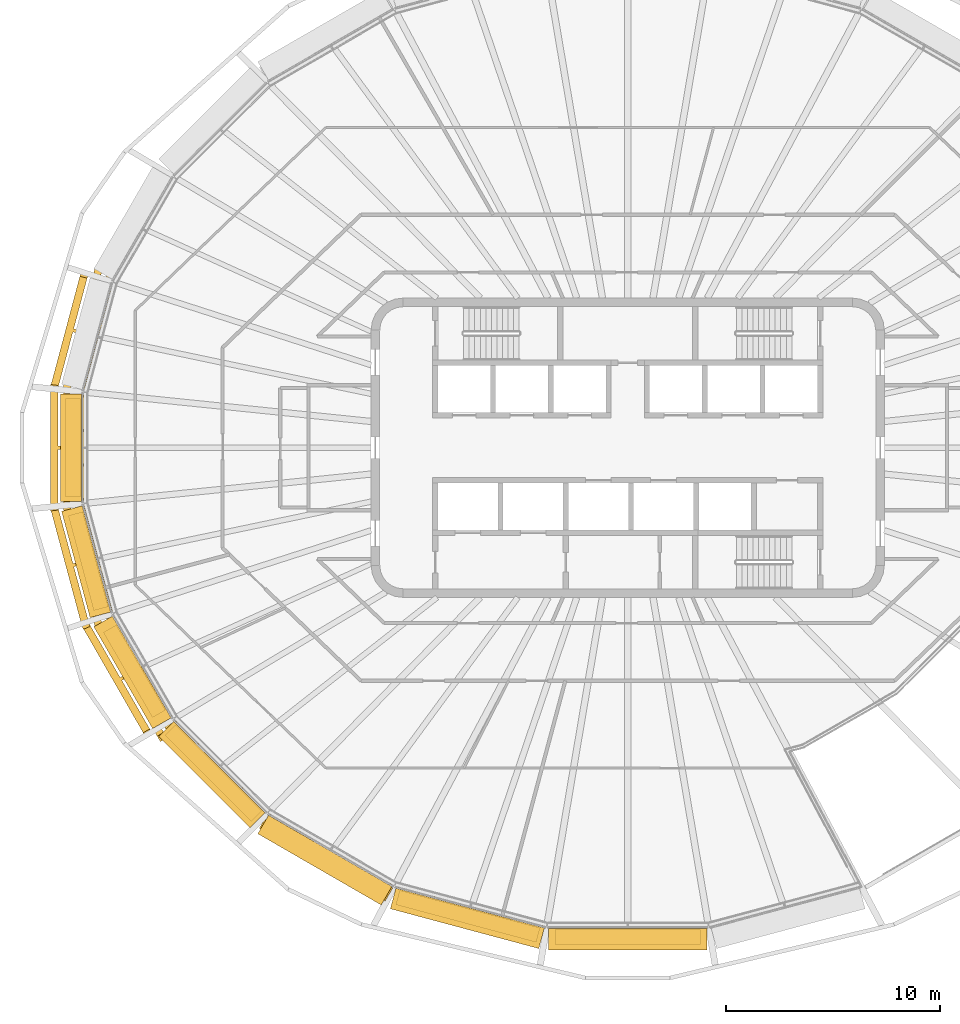
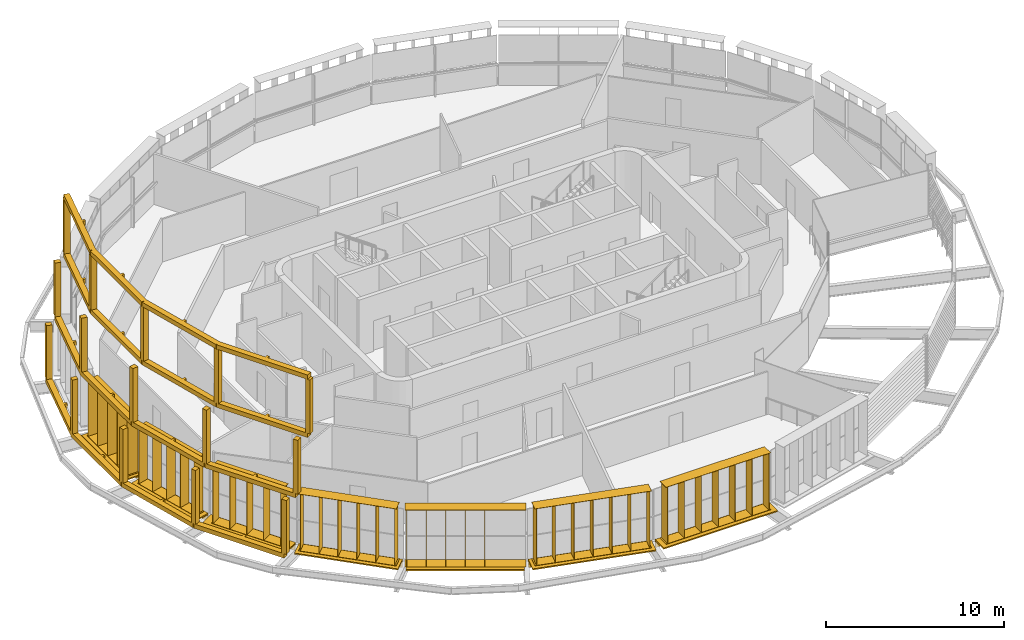
# One storey, part 14 of 18: 15 shading devices.
"""IFC4 building model written with IfcOpenShell, lengths in metres."""

import ifcopenshell
import ifcopenshell.guid

model = None  # the IFC model being written
_history = None  # IfcOwnerHistory: only IFC2X3 demands one
_inside = {}  # id of a spatial element -> (the spatial element, [elements in it])
_under = {}  # id of a project, library or spatial element -> (it, [spatial elements below it])
_declared = {}  # id of a project -> (the project, [libraries it declares])
_typed = {}  # id of a type object -> (the type object, [elements of that type])
_made_of = {}  # id of a material, layer set ... -> (it, [elements and type objects made of it])


def new_model(schema):
    """Start an empty IFC model of exactly this schema.

    Asked for "IFC4X3", IfcOpenShell would pick the latest addendum, in which some entities
    have other attributes; the version numbers below select the first issue.
    IFC2X3 requires an IfcOwnerHistory on every rooted entity: one is made here for all.
    """
    global model, _history
    if schema == "IFC4X3":
        model = ifcopenshell.file(schema_version=(4, 3, 0, 0))
    else:
        model = ifcopenshell.file(schema=schema)
    _inside.clear()
    _under.clear()
    _declared.clear()
    _typed.clear()
    _made_of.clear()
    _history = None
    if model.schema == "IFC2X3":
        org = make("IfcOrganization", Name="unknown")
        user = make(
            "IfcPersonAndOrganization",
            ThePerson=make("IfcPerson", FamilyName="unknown"),
            TheOrganization=org,
        )
        app = make(
            "IfcApplication",
            ApplicationDeveloper=org,
            Version="unknown",
            ApplicationFullName="unknown",
            ApplicationIdentifier="unknown",
        )
        _history = make(
            "IfcOwnerHistory",
            OwningUser=user,
            OwningApplication=app,
            ChangeAction="ADDED",
            CreationDate=0,
        )
    return model


def make(cls, **values):
    """One entity of the class cls with the attributes given. An attribute that is None is left unset."""
    return model.create_entity(
        cls, **{name: value for name, value in values.items() if value is not None}
    )


def rooted(cls, **values):
    """An entity with a GlobalId (a new one), such as an element, a storey or a relation."""
    return make(cls, GlobalId=ifcopenshell.guid.new(), OwnerHistory=_history, **values)


def si_unit(unit_type, name, prefix=None):
    """IfcSIUnit, for example si_unit("LENGTHUNIT", "METRE", prefix="MILLI")."""
    return make("IfcSIUnit", UnitType=unit_type, Prefix=prefix, Name=name)


def assignment(units):
    """IfcUnitAssignment: the units of a project."""
    return None if units is None else make("IfcUnitAssignment", Units=units)


def point(xyz):
    """IfcCartesianPoint."""
    return None if xyz is None else make("IfcCartesianPoint", Coordinates=xyz)


def direction(xyz):
    """IfcDirection."""
    return None if xyz is None else make("IfcDirection", DirectionRatios=xyz)


def frame(location, z_axis=None, x_axis=None):
    """IfcAxis2Placement3D, a coordinate frame: its origin and axes. An axis left out is left unset."""
    return make(
        "IfcAxis2Placement3D",
        Location=point(location),
        Axis=direction(z_axis),
        RefDirection=direction(x_axis),
    )


def frame_2d(location, x_axis=None):
    """IfcAxis2Placement2D, a coordinate frame in the plane: its origin and x axis."""
    return make(
        "IfcAxis2Placement2D", Location=point(location), RefDirection=direction(x_axis)
    )


def origin():
    """The frame at (0, 0, 0) with its axes left unset."""
    return frame((0.0, 0.0, 0.0))


def origin_2d():
    """The frame at (0, 0) in the plane with its x axis left unset."""
    return frame_2d((0.0, 0.0))


def place(relative_to, where):
    """IfcLocalPlacement: puts the frame where relative to a parent placement (None: the world)."""
    return make(
        "IfcLocalPlacement", PlacementRelTo=relative_to, RelativePlacement=where
    )


def context(
    kind, dimensions, precision=None, world=None, true_north=None, identifier=None
):
    """IfcGeometricRepresentationContext, for example the 3D "Model" context."""
    return make(
        "IfcGeometricRepresentationContext",
        ContextIdentifier=identifier,
        ContextType=kind,
        CoordinateSpaceDimension=dimensions,
        Precision=precision,
        WorldCoordinateSystem=world,
        TrueNorth=true_north,
    )


def subcontext(parent, identifier, kind, view, scale=None):
    """IfcGeometricRepresentationSubContext, for example "Body" below "Model"."""
    return make(
        "IfcGeometricRepresentationSubContext",
        ContextIdentifier=identifier,
        ContextType=kind,
        ParentContext=parent,
        TargetScale=scale,
        TargetView=view,
    )


def project(units=None, contexts=None):
    """IfcProject with its units and contexts."""
    return rooted(
        "IfcProject",
        Name="project",
        RepresentationContexts=contexts,
        UnitsInContext=assignment(units),
    )


def spatial(cls, under=None, at=None, **own):
    """A site, building, storey or space (cls), placed at a placement, below another one or the project."""
    s = rooted(cls, ObjectPlacement=at, **own)
    if under is not None:
        _under.setdefault(under.id(), (under, []))[1].append(s)
    return s


def polyline(points):
    """IfcPolyline through the points."""
    return make("IfcPolyline", Points=[point(p) for p in points])


def profile(cls, at=None, kind="AREA", **sizes):
    """A parametric profile (cls). Its sizes go by their IFC names, for example OverallWidth=200.0."""
    return make(cls, ProfileType=kind, Position=at, **sizes)


def rectangle(**sizes):
    """IfcRectangleProfileDef."""
    return profile("IfcRectangleProfileDef", **sizes)


def outline(outer, holes=None, kind="AREA"):
    """IfcArbitraryClosedProfileDef: a profile drawn as a closed curve; with holes, ...WithVoids."""
    if holes is None:
        return make("IfcArbitraryClosedProfileDef", ProfileType=kind, OuterCurve=outer)
    return make(
        "IfcArbitraryProfileDefWithVoids",
        ProfileType=kind,
        OuterCurve=outer,
        InnerCurves=holes,
    )


def extrude(swept, where, along, depth):
    """IfcExtrudedAreaSolid: the profile swept, set in the frame where, extruded along a direction by depth."""
    return make(
        "IfcExtrudedAreaSolid",
        SweptArea=swept,
        Position=where,
        ExtrudedDirection=direction(along),
        Depth=depth,
    )


def shape(context_of_items, identifier, shape_type, items):
    """IfcShapeRepresentation: the items that make up one representation, for example the "Body"."""
    return make(
        "IfcShapeRepresentation",
        ContextOfItems=context_of_items,
        RepresentationIdentifier=identifier,
        RepresentationType=shape_type,
        Items=items,
    )


def material(Name=None, Category=None):
    """IfcMaterial."""
    return make("IfcMaterial", Name=Name, Category=Category)


def made_of(thing, what):
    """Note that an element or type object is made of a material, layer set ...; save() writes the relation."""
    if what is not None:
        _made_of.setdefault(what.id(), (what, []))[1].append(thing)
    return thing


def type_object(cls, material=None, **own):
    """A type object (cls), such as IfcWallType, which elements share."""
    return made_of(rooted(cls, **own), material)


def element(
    cls,
    number,
    at=None,
    inside=None,
    cuts=None,
    type_object=None,
    material=None,
    context=None,
    identifier="Body",
    shape_type=None,
    held_by="IfcProductDefinitionShape",
    body=None,
    shapes=None,
    **own,
):
    """One element of the class cls, such as IfcWall. Its Tag is "e" and its number.

    at: its placement. inside: the storey or other place that contains it. cuts: it is an
    opening in that element (IfcRelVoidsElement). A single representation is given by context,
    identifier, shape_type and body (its items); several are given by shapes. held_by: the class
    of the entity that holds the representations. save() writes the other relations.
    """
    e = rooted(cls, Tag="e%d" % number, ObjectPlacement=at, **own)
    if body is not None:
        shapes = [shape(context, identifier, shape_type, body)]
    if shapes is not None:
        e.Representation = make(held_by, Representations=shapes)
    if inside is not None:
        _inside.setdefault(inside.id(), (inside, []))[1].append(e)
    if cuts is not None:
        rooted(
            "IfcRelVoidsElement", RelatingBuildingElement=cuts, RelatedOpeningElement=e
        )
    if type_object is not None:
        _typed.setdefault(type_object.id(), (type_object, []))[1].append(e)
    return made_of(e, material)


def aggregate(whole, parts):
    """IfcRelAggregates: a whole, such as a stair, and the parts it consists of."""
    return rooted("IfcRelAggregates", RelatingObject=whole, RelatedObjects=parts)


def save(model, path):
    """Write the relations noted so far, then the file.

    IfcRelAggregates (storeys below a building ...), IfcRelContainedInSpatialStructure (elements
    in a storey), IfcRelDefinesByType, IfcRelAssociatesMaterial and IfcRelDeclares: one each for
    every whole, place, type object, material and project.
    """
    for whole, parts in _under.values():
        aggregate(whole, parts)
    for where, things in _inside.values():
        rooted(
            "IfcRelContainedInSpatialStructure",
            RelatedElements=things,
            RelatingStructure=where,
        )
    for kind, things in _typed.values():
        rooted("IfcRelDefinesByType", RelatedObjects=things, RelatingType=kind)
    for what, things in _made_of.values():
        rooted("IfcRelAssociatesMaterial", RelatedObjects=things, RelatingMaterial=what)
    for by, libraries in _declared.values():
        rooted("IfcRelDeclares", RelatingContext=by, RelatedDefinitions=libraries)
    model.write(path)


model = new_model("IFC4")

# Units and contexts
model_context = context("Model", 3, precision=1e-05, world=origin(), true_north=direction((0.0, 1.0)))
body_context = subcontext(model_context, "Body", "Model", "MODEL_VIEW")
ifc_project = project(units=[si_unit("LENGTHUNIT", "METRE"), si_unit("AREAUNIT", "SQUARE_METRE"), si_unit("VOLUMEUNIT", "CUBIC_METRE"), si_unit("PLANEANGLEUNIT", "RADIAN"), si_unit("MASSUNIT", "GRAM", prefix="KILO")], contexts=[model_context])

# Site, building, storey
site_placement = place(None, origin())
site = spatial("IfcSite", under=ifc_project, at=site_placement, CompositionType="ELEMENT")
building_placement = place(site_placement, origin())
building = spatial("IfcBuilding", under=site, at=building_placement, Name="Sahrelin Media Tower", CompositionType="ELEMENT")
storey_placement = place(building_placement, frame((0.0, 0.0, 312.39990234375)))
storey = spatial("IfcBuildingStorey", under=building, at=storey_placement, Name="L69", CompositionType="ELEMENT", Elevation=312.39990234375)

# Shading devices
ifc_material_1 = material(Name="Dark bronze anodised aluminium 6063-T6", Category="aluminium")
shading_device_type_1 = type_object("IfcShadingDeviceType", Name="Deep frame", PredefinedType="USERDEFINED", material=ifc_material_1)
shading_device_1_placement = place(storey_placement, frame((-24.133056640625, 7.777099609375, 0.0), z_axis=(0.0, 0.0, 1.0), x_axis=(0.258807731996, 0.965928857556, 0.0)))
element("IfcShadingDevice", 1, at=shading_device_1_placement, inside=storey, type_object=shading_device_type_1, Name="L69:FRAME:F6-2", ObjectType="FRAME", PredefinedType="USERDEFINED", context=body_context, shape_type="SweptSolid", body=[
    extrude(rectangle(XDim=0.300048828125, YDim=0.35009765625, at=origin_2d()), frame((0.0, 1.324951171875, 0.14990234375), z_axis=(0.0, 0.0, 1.0), x_axis=(-1.0, 0.0, 0.0)), (0.0, 0.0, 1.0), 3.7001953125),
    extrude(rectangle(XDim=0.300048828125, YDim=0.35009765625, at=origin_2d()), frame((-5.518798828125, 1.313720703125, 0.14990234375), z_axis=(0.0, 0.0, 1.0), x_axis=(-0.991434606813, -0.130604059715, 0.0)), (0.0, 0.0, 1.0), 3.7001953125),
    extrude(rectangle(XDim=0.300048828125, YDim=0.35009765625, at=origin_2d()), frame((-10.9013671875, -0.12841796875, 0.14990234375), z_axis=(0.0, 0.0, 1.0), x_axis=(-0.923876860854, -0.382689882252, 0.0)), (0.0, 0.0, 1.0), 3.7001953125),
    extrude(rectangle(XDim=0.300048828125, YDim=0.35009765625, at=origin_2d()), frame((-15.83056640625, -2.974365234375, 0.14990234375), z_axis=(0.0, 0.0, 1.0), x_axis=(-0.793400087474, -0.608700502051, 0.0)), (0.0, 0.0, 1.0), 3.7001953125),
    extrude(rectangle(XDim=0.300048828125, YDim=0.35009765625, at=origin_2d()), frame((-19.98828125, -7.115966796875, 0.14990234375), z_axis=(0.0, 0.0, 1.0), x_axis=(-0.707106781187, -0.707106781187, 0.0)), (0.0, 0.0, 1.0), 3.7001953125),
    extrude(outline(polyline([(-20.11181640625, -6.991943359375), (-19.86474609375, -7.239990234375), (-17.900146484375, -5.282958984375), (-17.776611328125, -5.406494140625), (-17.670654296875, -5.30029296875), (-17.7939453125, -5.177001953125), (-15.723388671875, -3.114501953125), (-13.343505859375, -1.740478515625), (-13.259033203125, -1.88671875), (-13.129150390625, -1.8115234375), (-13.21337890625, -1.66552734375), (-10.833740234375, -0.29150390625), (-8.2373046875, 0.404052734375), (-8.193603515625, 0.2412109375), (-8.048583984375, 0.280029296875), (-8.09228515625, 0.44287109375), (-5.49560546875, 1.138671875), (-2.748046875, 1.144287109375), (-2.748046875, 0.969970703125), (-2.597900390625, 0.969970703125), (-2.597900390625, 1.144775390625), (0.00048828125, 1.14990234375), (-0.00048828125, 1.5), (-5.519287109375, 1.48876953125), (-5.518798828125, 1.313720703125), (-5.564208984375, 1.482666015625), (-10.946533203125, 0.04052734375), (-10.9013671875, -0.12841796875), (-10.98876953125, 0.02294921875), (-15.918212890625, -2.82275390625), (-15.83056640625, -2.974365234375), (-15.9541015625, -2.850341796875), (-20.11181640625, -6.991943359375)])), frame((0.0, 0.0, -0.14990234375)), (0.0, 0.0, 1.0), 0.2998046875),
    extrude(rectangle(XDim=0.300048828125, YDim=0.35009765625, at=origin_2d()), frame((0.29248046875, 0.740478515625, 4.14990234375), z_axis=(0.0, 0.0, 1.0), x_axis=(-1.0, 0.0, 0.0)), (0.0, 0.0, 1.0), 3.7001953125),
    extrude(rectangle(XDim=0.300048828125, YDim=0.35009765625, at=origin_2d()), frame((-5.31005859375, 0.729248046875, 4.14990234375), z_axis=(0.0, 0.0, 1.0), x_axis=(-0.991449189241, -0.130493314592, 0.0)), (0.0, 0.0, 1.0), 3.7001953125),
    extrude(rectangle(XDim=0.300048828125, YDim=0.35009765625, at=origin_2d()), frame((-10.7900390625, -0.739013671875, 4.14990234375), z_axis=(0.0, 0.0, 1.0), x_axis=(-0.923876860854, -0.382689882252, 0.0)), (0.0, 0.0, 1.0), 3.7001953125),
    extrude(rectangle(XDim=0.300048828125, YDim=0.35009765625, at=origin_2d()), frame((-15.791748046875, -3.626708984375, 4.14990234375), z_axis=(0.0, 0.0, 1.0), x_axis=(-0.793315089117, -0.608811275668, 0.0)), (0.0, 0.0, 1.0), 3.7001953125),
    extrude(rectangle(XDim=0.300048828125, YDim=0.35009765625, at=origin_2d()), frame((-19.970703125, -7.78955078125, 4.14990234375), z_axis=(0.0, 0.0, 1.0), x_axis=(-0.707106781187, -0.707106781187, 0.0)), (0.0, 0.0, 1.0), 3.7001953125),
    extrude(outline(polyline([(-20.09423828125, -7.66552734375), (-19.84716796875, -7.91357421875), (-17.871826171875, -5.94580078125), (-17.748291015625, -6.0693359375), (-17.642333984375, -5.96337890625), (-17.765625, -5.840087890625), (-15.6845703125, -3.766845703125), (-13.268310546875, -2.371826171875), (-13.18408203125, -2.51806640625), (-13.05419921875, -2.443115234375), (-13.138427734375, -2.296875), (-10.722412109375, -0.902099609375), (-8.0771484375, -0.193359375), (-8.033447265625, -0.356201171875), (-7.888671875, -0.3173828125), (-7.932373046875, -0.154541015625), (-5.286865234375, 0.554443359375), (-2.497314453125, 0.56005859375), (-2.497314453125, 0.385498046875), (-2.347412109375, 0.385498046875), (-2.347412109375, 0.560302734375), (0.29296875, 0.565673828125), (0.292236328125, 0.91552734375), (-5.310302734375, 0.904296875), (-5.31005859375, 0.729248046875), (-5.355224609375, 0.898193359375), (-10.835205078125, -0.570068359375), (-10.7900390625, -0.739013671875), (-10.87744140625, -0.58740234375), (-15.87939453125, -3.47509765625), (-15.791748046875, -3.626708984375), (-15.915283203125, -3.502685546875), (-20.09423828125, -7.66552734375)])), frame((0.0, 0.0, 3.85009765625)), (0.0, 0.0, 1.0), 0.2998046875),
    extrude(rectangle(XDim=0.300048828125, YDim=0.35009765625, at=origin_2d()), frame((0.608642578125, 0.1220703125, 8.14990234375), z_axis=(0.0, 0.0, 1.0), x_axis=(-1.0, 0.0, 0.0)), (0.0, 0.0, 1.0), 3.7001953125),
    extrude(rectangle(XDim=0.300048828125, YDim=0.35009765625, at=origin_2d()), frame((-5.086181640625, 0.110595703125, 8.14990234375), z_axis=(0.0, 0.0, 1.0), x_axis=(-0.991447594891, -0.130505427419, 0.0)), (0.0, 0.0, 1.0), 3.7001953125),
    extrude(rectangle(XDim=0.300048828125, YDim=0.35009765625, at=origin_2d()), frame((-10.6748046875, -1.38671875, 8.14990234375), z_axis=(0.0, 0.0, 1.0), x_axis=(-0.923862165937, -0.382725356294, 0.0)), (0.0, 0.0, 1.0), 3.7001953125),
    extrude(rectangle(XDim=0.300048828125, YDim=0.35009765625, at=origin_2d()), frame((-15.756103515625, -4.320556640625, 8.14990234375), z_axis=(0.0, 0.0, 1.0), x_axis=(-0.793400087474, -0.608700502051, 0.0)), (0.0, 0.0, 1.0), 3.7001953125),
    extrude(rectangle(XDim=0.300048828125, YDim=0.35009765625, at=origin_2d()), frame((-19.95654296875, -8.504638671875, 8.14990234375), z_axis=(0.0, 0.0, 1.0), x_axis=(-0.707106781187, -0.707106781187, 0.0)), (0.0, 0.0, 1.0), 3.7001953125),
    extrude(outline(polyline([(-20.080078125, -8.380615234375), (-19.8330078125, -8.628662109375), (-17.846923828125, -6.650390625), (-17.723388671875, -6.773681640625), (-17.617431640625, -6.667724609375), (-17.74072265625, -6.54443359375), (-15.64892578125, -4.460693359375), (-13.19287109375, -3.042724609375), (-13.108642578125, -3.188720703125), (-12.978515625, -3.11376953125), (-13.06298828125, -2.9677734375), (-10.607177734375, -1.5498046875), (-7.907470703125, -0.826416015625), (-7.864013671875, -0.989501953125), (-7.718994140625, -0.95068359375), (-7.7626953125, -0.78759765625), (-5.06298828125, -0.064208984375), (-2.227294921875, -0.05859375), (-2.227294921875, -0.23291015625), (-2.077392578125, -0.23291015625), (-2.077392578125, -0.058349609375), (0.60888671875, -0.052978515625), (0.608154296875, 0.297119140625), (-5.08642578125, 0.28564453125), (-5.086181640625, 0.110595703125), (-5.13134765625, 0.27978515625), (-10.719970703125, -1.2177734375), (-10.6748046875, -1.38671875), (-10.76220703125, -1.235107421875), (-15.84375, -4.1689453125), (-15.756103515625, -4.320556640625), (-15.879638671875, -4.196533203125), (-20.080078125, -8.380615234375)])), frame((0.0, 0.0, 7.85009765625)), (0.0, 0.0, 1.0), 0.2998046875),
    extrude(outline(polyline([(-20.080078125, -8.380615234375), (-19.8330078125, -8.628662109375), (-17.846923828125, -6.650390625), (-17.723388671875, -6.773681640625), (-17.617431640625, -6.667724609375), (-17.74072265625, -6.54443359375), (-15.64892578125, -4.460693359375), (-13.19287109375, -3.042724609375), (-13.108642578125, -3.188720703125), (-12.978515625, -3.11376953125), (-13.06298828125, -2.9677734375), (-10.607177734375, -1.5498046875), (-7.907470703125, -0.826416015625), (-7.864013671875, -0.989501953125), (-7.718994140625, -0.95068359375), (-7.7626953125, -0.78759765625), (-5.06298828125, -0.064208984375), (-2.227294921875, -0.05859375), (-2.227294921875, -0.23291015625), (-2.077392578125, -0.23291015625), (-2.077392578125, -0.058349609375), (0.60888671875, -0.052978515625), (0.608154296875, 0.297119140625), (-5.08642578125, 0.28564453125), (-5.086181640625, 0.110595703125), (-5.13134765625, 0.27978515625), (-10.719970703125, -1.2177734375), (-10.6748046875, -1.38671875), (-10.76220703125, -1.235107421875), (-15.84375, -4.1689453125), (-15.756103515625, -4.320556640625), (-15.879638671875, -4.196533203125), (-20.080078125, -8.380615234375)])), frame((0.0, 0.0, 11.85009765625)), (0.0, 0.0, 1.0), 0.2998046875),
])
ifc_material_2 = material(Name="Champagne anodised aluminium 6063-T6", Category="aluminium")
shading_device_type_2 = type_object("IfcShadingDeviceType", Name="Fin cassette", PredefinedType="USERDEFINED", material=ifc_material_2)
placement_1 = place(storey_placement, frame((-25.5166015625, 0.0, 0.0), z_axis=(0.0, 0.0, 1.0), x_axis=(0.0, 1.0, 0.0)))
element("IfcShadingDevice", 2, at=placement_1, inside=storey, type_object=shading_device_type_2, Name="L69:FIN:L69-12", ObjectType="FIN", PredefinedType="USERDEFINED", context=body_context, shape_type="SweptSolid", body=[
    extrude(rectangle(XDim=4.60009765625, YDim=0.699951171875, at=origin_2d()), frame((0.0, 0.419921875, 0.0)), (0.0, 0.0, 1.0), 0.02001953125),
    extrude(rectangle(XDim=4.60009765625, YDim=0.699951171875, at=origin_2d()), frame((0.0, 0.419921875, 3.89990234375)), (0.0, 0.0, 1.0), 0.02001953125),
    extrude(rectangle(XDim=0.02001953125, YDim=0.699951171875, at=origin_2d()), frame((-2.199951171875, 0.419921875, 0.010009765625), z_axis=(0.0, 0.0, 1.0), x_axis=(1.0, 0.0, 0.0)), (0.0, 0.0, 1.0), 3.89990234375),
    extrude(rectangle(XDim=0.02001953125, YDim=0.699951171875, at=origin_2d()), frame((-1.10009765625, 0.419921875, 0.010009765625), z_axis=(0.0, 0.0, 1.0), x_axis=(1.0, 0.0, 0.0)), (0.0, 0.0, 1.0), 3.89990234375),
    extrude(rectangle(XDim=0.02001953125, YDim=0.699951171875, at=origin_2d()), frame((0.0, 0.419921875, 0.010009765625), z_axis=(0.0, 0.0, 1.0), x_axis=(1.0, 0.0, 0.0)), (0.0, 0.0, 1.0), 3.89990234375),
    extrude(rectangle(XDim=0.02001953125, YDim=0.699951171875, at=origin_2d()), frame((1.10009765625, 0.419921875, 0.010009765625), z_axis=(0.0, 0.0, 1.0), x_axis=(1.0, 0.0, 0.0)), (0.0, 0.0, 1.0), 3.89990234375),
    extrude(rectangle(XDim=0.02001953125, YDim=0.699951171875, at=origin_2d()), frame((2.199951171875, 0.419921875, 0.010009765625), z_axis=(0.0, 0.0, 1.0), x_axis=(1.0, 0.0, 0.0)), (0.0, 0.0, 1.0), 3.89990234375),
])
placement_2 = place(storey_placement, frame((-24.824951171875, -5.195068359375, 0.0), z_axis=(0.0, 0.0, 1.0), x_axis=(-0.258807731996, 0.965928857556, 0.0)))
element("IfcShadingDevice", 3, at=placement_2, inside=storey, type_object=shading_device_type_2, Name="L69:FIN:L69-13", ObjectType="FIN", PredefinedType="USERDEFINED", context=body_context, shape_type="SweptSolid", body=[
    extrude(rectangle(XDim=4.60009765625, YDim=0.699951171875, at=origin_2d()), frame((0.0, 0.419921875, 0.0)), (0.0, 0.0, 1.0), 0.02001953125),
    extrude(rectangle(XDim=4.60009765625, YDim=0.699951171875, at=origin_2d()), frame((0.0, 0.419921875, 3.89990234375)), (0.0, 0.0, 1.0), 0.02001953125),
    extrude(rectangle(XDim=0.02001953125, YDim=0.699951171875, at=origin_2d()), frame((-2.199951171875, 0.419921875, 0.010009765625), z_axis=(0.0, 0.0, 1.0), x_axis=(1.0, 0.0, 0.0)), (0.0, 0.0, 1.0), 3.89990234375),
    extrude(rectangle(XDim=0.02001953125, YDim=0.699951171875, at=origin_2d()), frame((-1.10009765625, 0.419921875, 0.010009765625), z_axis=(0.0, 0.0, 1.0), x_axis=(1.0, 0.0, 0.0)), (0.0, 0.0, 1.0), 3.89990234375),
    extrude(rectangle(XDim=0.02001953125, YDim=0.699951171875, at=origin_2d()), frame((0.0, 0.419921875, 0.010009765625), z_axis=(0.0, 0.0, 1.0), x_axis=(1.0, 0.0, 0.0)), (0.0, 0.0, 1.0), 3.89990234375),
    extrude(rectangle(XDim=0.02001953125, YDim=0.699951171875, at=origin_2d()), frame((1.10009765625, 0.419921875, 0.010009765625), z_axis=(0.0, 0.0, 1.0), x_axis=(1.0, 0.0, 0.0)), (0.0, 0.0, 1.0), 3.89990234375),
    extrude(rectangle(XDim=0.02001953125, YDim=0.699951171875, at=origin_2d()), frame((2.199951171875, 0.419921875, 0.010009765625), z_axis=(0.0, 0.0, 1.0), x_axis=(1.0, 0.0, 0.0)), (0.0, 0.0, 1.0), 3.89990234375),
])
placement_3 = place(storey_placement, frame((-22.709228515625, -10.2431640625, 0.0), z_axis=(0.0, 0.0, 1.0), x_axis=(-0.500011000363, 0.866019052629, 0.0)))
element("IfcShadingDevice", 4, at=placement_3, inside=storey, type_object=shading_device_type_2, Name="L69:FIN:L69-14", ObjectType="FIN", PredefinedType="USERDEFINED", context=body_context, shape_type="SweptSolid", body=[
    extrude(rectangle(XDim=4.60009765625, YDim=0.699951171875, at=origin_2d()), frame((0.0, 0.419921875, 0.0)), (0.0, 0.0, 1.0), 0.02001953125),
    extrude(rectangle(XDim=4.60009765625, YDim=0.699951171875, at=origin_2d()), frame((0.0, 0.419921875, 3.89990234375)), (0.0, 0.0, 1.0), 0.02001953125),
    extrude(rectangle(XDim=0.02001953125, YDim=0.699951171875, at=origin_2d()), frame((-2.199951171875, 0.419921875, 0.010009765625), z_axis=(0.0, 0.0, 1.0), x_axis=(1.0, 0.0, 0.0)), (0.0, 0.0, 1.0), 3.89990234375),
    extrude(rectangle(XDim=0.02001953125, YDim=0.699951171875, at=origin_2d()), frame((-1.10009765625, 0.419921875, 0.010009765625), z_axis=(0.0, 0.0, 1.0), x_axis=(1.0, 0.0, 0.0)), (0.0, 0.0, 1.0), 3.89990234375),
    extrude(rectangle(XDim=0.02001953125, YDim=0.699951171875, at=origin_2d()), frame((0.0, 0.419921875, 0.010009765625), z_axis=(0.0, 0.0, 1.0), x_axis=(1.0, 0.0, 0.0)), (0.0, 0.0, 1.0), 3.89990234375),
    extrude(rectangle(XDim=0.02001953125, YDim=0.699951171875, at=origin_2d()), frame((1.10009765625, 0.419921875, 0.010009765625), z_axis=(0.0, 0.0, 1.0), x_axis=(1.0, 0.0, 0.0)), (0.0, 0.0, 1.0), 3.89990234375),
    extrude(rectangle(XDim=0.02001953125, YDim=0.699951171875, at=origin_2d()), frame((2.199951171875, 0.419921875, 0.010009765625), z_axis=(0.0, 0.0, 1.0), x_axis=(1.0, 0.0, 0.0)), (0.0, 0.0, 1.0), 3.89990234375),
])
placement_4 = place(storey_placement, frame((-19.08056640625, -14.914306640625, 0.0), z_axis=(0.0, 0.0, 1.0), x_axis=(-0.707106781187, 0.707106781187, 0.0)))
element("IfcShadingDevice", 5, at=placement_4, inside=storey, type_object=shading_device_type_2, Name="L69:FIN:L69-15", ObjectType="FIN", PredefinedType="USERDEFINED", context=body_context, shape_type="SweptSolid", body=[
    extrude(rectangle(XDim=5.699951171875, YDim=0.699951171875, at=origin_2d()), frame((0.0, 0.419921875, 0.0)), (0.0, 0.0, 1.0), 0.02001953125),
    extrude(rectangle(XDim=5.699951171875, YDim=0.699951171875, at=origin_2d()), frame((0.0, 0.419921875, 3.89990234375)), (0.0, 0.0, 1.0), 0.02001953125),
    extrude(rectangle(XDim=0.02001953125, YDim=0.699951171875, at=origin_2d()), frame((-2.75, 0.419921875, 0.010009765625), z_axis=(0.0, 0.0, 1.0), x_axis=(1.0, 0.0, 0.0)), (0.0, 0.0, 1.0), 3.89990234375),
    extrude(rectangle(XDim=0.02001953125, YDim=0.699951171875, at=origin_2d()), frame((-1.64990234375, 0.419921875, 0.010009765625), z_axis=(0.0, 0.0, 1.0), x_axis=(1.0, 0.0, 0.0)), (0.0, 0.0, 1.0), 3.89990234375),
    extrude(rectangle(XDim=0.02001953125, YDim=0.699951171875, at=origin_2d()), frame((-0.550048828125, 0.419921875, 0.010009765625), z_axis=(0.0, 0.0, 1.0), x_axis=(1.0, 0.0, 0.0)), (0.0, 0.0, 1.0), 3.89990234375),
    extrude(rectangle(XDim=0.02001953125, YDim=0.699951171875, at=origin_2d()), frame((0.550048828125, 0.419921875, 0.010009765625), z_axis=(0.0, 0.0, 1.0), x_axis=(1.0, 0.0, 0.0)), (0.0, 0.0, 1.0), 3.89990234375),
    extrude(rectangle(XDim=0.02001953125, YDim=0.699951171875, at=origin_2d()), frame((1.64990234375, 0.419921875, 0.010009765625), z_axis=(0.0, 0.0, 1.0), x_axis=(1.0, 0.0, 0.0)), (0.0, 0.0, 1.0), 3.89990234375),
    extrude(rectangle(XDim=0.02001953125, YDim=0.699951171875, at=origin_2d()), frame((2.75, 0.419921875, 0.010009765625), z_axis=(0.0, 0.0, 1.0), x_axis=(1.0, 0.0, 0.0)), (0.0, 0.0, 1.0), 3.89990234375),
])
placement_5 = place(storey_placement, frame((-13.904296875, -18.834716796875, 0.0), z_axis=(0.0, 0.0, 1.0), x_axis=(-0.866019052629, 0.500011000363, 0.0)))
element("IfcShadingDevice", 6, at=placement_5, inside=storey, type_object=shading_device_type_2, Name="L69:FIN:L69-16", ObjectType="FIN", PredefinedType="USERDEFINED", context=body_context, shape_type="SweptSolid", body=[
    extrude(rectangle(XDim=6.800048828125, YDim=0.699951171875, at=origin_2d()), frame((0.0, 0.419921875, 0.0)), (0.0, 0.0, 1.0), 0.02001953125),
    extrude(rectangle(XDim=6.800048828125, YDim=0.699951171875, at=origin_2d()), frame((0.0, 0.419921875, 3.89990234375)), (0.0, 0.0, 1.0), 0.02001953125),
    extrude(rectangle(XDim=0.02001953125, YDim=0.699951171875, at=origin_2d()), frame((-3.300048828125, 0.419921875, 0.010009765625), z_axis=(0.0, 0.0, 1.0), x_axis=(1.0, 0.0, 0.0)), (0.0, 0.0, 1.0), 3.89990234375),
    extrude(rectangle(XDim=0.02001953125, YDim=0.699951171875, at=origin_2d()), frame((-2.199951171875, 0.419921875, 0.010009765625), z_axis=(0.0, 0.0, 1.0), x_axis=(1.0, 0.0, 0.0)), (0.0, 0.0, 1.0), 3.89990234375),
    extrude(rectangle(XDim=0.02001953125, YDim=0.699951171875, at=origin_2d()), frame((-1.10009765625, 0.419921875, 0.010009765625), z_axis=(0.0, 0.0, 1.0), x_axis=(1.0, 0.0, 0.0)), (0.0, 0.0, 1.0), 3.89990234375),
    extrude(rectangle(XDim=0.02001953125, YDim=0.699951171875, at=origin_2d()), frame((0.0, 0.419921875, 0.010009765625), z_axis=(0.0, 0.0, 1.0), x_axis=(1.0, 0.0, 0.0)), (0.0, 0.0, 1.0), 3.89990234375),
    extrude(rectangle(XDim=0.02001953125, YDim=0.699951171875, at=origin_2d()), frame((1.10009765625, 0.419921875, 0.010009765625), z_axis=(0.0, 0.0, 1.0), x_axis=(1.0, 0.0, 0.0)), (0.0, 0.0, 1.0), 3.89990234375),
    extrude(rectangle(XDim=0.02001953125, YDim=0.699951171875, at=origin_2d()), frame((2.199951171875, 0.419921875, 0.010009765625), z_axis=(0.0, 0.0, 1.0), x_axis=(1.0, 0.0, 0.0)), (0.0, 0.0, 1.0), 3.89990234375),
    extrude(rectangle(XDim=0.02001953125, YDim=0.699951171875, at=origin_2d()), frame((3.300048828125, 0.419921875, 0.010009765625), z_axis=(0.0, 0.0, 1.0), x_axis=(1.0, 0.0, 0.0)), (0.0, 0.0, 1.0), 3.89990234375),
])
placement_6 = place(storey_placement, frame((-7.365234375, -21.506103515625, 0.0), z_axis=(0.0, 0.0, 1.0), x_axis=(-0.965928857556, 0.258807731996, 0.0)))
element("IfcShadingDevice", 7, at=placement_6, inside=storey, type_object=shading_device_type_2, Name="L69:FIN:L69-17", ObjectType="FIN", PredefinedType="USERDEFINED", context=body_context, shape_type="SweptSolid", body=[
    extrude(rectangle(XDim=6.800048828125, YDim=0.699951171875, at=origin_2d()), frame((0.0, 0.419921875, 0.0)), (0.0, 0.0, 1.0), 0.02001953125),
    extrude(rectangle(XDim=6.800048828125, YDim=0.699951171875, at=origin_2d()), frame((0.0, 0.419921875, 3.89990234375)), (0.0, 0.0, 1.0), 0.02001953125),
    extrude(rectangle(XDim=0.02001953125, YDim=0.699951171875, at=origin_2d()), frame((-3.300048828125, 0.419921875, 0.010009765625), z_axis=(0.0, 0.0, 1.0), x_axis=(1.0, 0.0, 0.0)), (0.0, 0.0, 1.0), 3.89990234375),
    extrude(rectangle(XDim=0.02001953125, YDim=0.699951171875, at=origin_2d()), frame((-2.199951171875, 0.419921875, 0.010009765625), z_axis=(0.0, 0.0, 1.0), x_axis=(1.0, 0.0, 0.0)), (0.0, 0.0, 1.0), 3.89990234375),
    extrude(rectangle(XDim=0.02001953125, YDim=0.699951171875, at=origin_2d()), frame((-1.10009765625, 0.419921875, 0.010009765625), z_axis=(0.0, 0.0, 1.0), x_axis=(1.0, 0.0, 0.0)), (0.0, 0.0, 1.0), 3.89990234375),
    extrude(rectangle(XDim=0.02001953125, YDim=0.699951171875, at=origin_2d()), frame((0.0, 0.419921875, 0.010009765625), z_axis=(0.0, 0.0, 1.0), x_axis=(1.0, 0.0, 0.0)), (0.0, 0.0, 1.0), 3.89990234375),
    extrude(rectangle(XDim=0.02001953125, YDim=0.699951171875, at=origin_2d()), frame((1.10009765625, 0.419921875, 0.010009765625), z_axis=(0.0, 0.0, 1.0), x_axis=(1.0, 0.0, 0.0)), (0.0, 0.0, 1.0), 3.89990234375),
    extrude(rectangle(XDim=0.02001953125, YDim=0.699951171875, at=origin_2d()), frame((2.199951171875, 0.419921875, 0.010009765625), z_axis=(0.0, 0.0, 1.0), x_axis=(1.0, 0.0, 0.0)), (0.0, 0.0, 1.0), 3.89990234375),
    extrude(rectangle(XDim=0.02001953125, YDim=0.699951171875, at=origin_2d()), frame((3.300048828125, 0.419921875, 0.010009765625), z_axis=(0.0, 0.0, 1.0), x_axis=(1.0, 0.0, 0.0)), (0.0, 0.0, 1.0), 3.89990234375),
])
placement_7 = place(storey_placement, frame((0.0, -22.462158203125, 0.0), z_axis=(0.0, 0.0, 1.0), x_axis=(-1.0, 0.0, 0.0)))
element("IfcShadingDevice", 8, at=placement_7, inside=storey, type_object=shading_device_type_2, Name="L69:FIN:L69-18", ObjectType="FIN", PredefinedType="USERDEFINED", context=body_context, shape_type="SweptSolid", body=[
    extrude(rectangle(XDim=6.800048828125, YDim=0.699951171875, at=origin_2d()), frame((0.0, 0.419921875, 0.0)), (0.0, 0.0, 1.0), 0.02001953125),
    extrude(rectangle(XDim=6.800048828125, YDim=0.699951171875, at=origin_2d()), frame((0.0, 0.419921875, 3.89990234375)), (0.0, 0.0, 1.0), 0.02001953125),
    extrude(rectangle(XDim=0.02001953125, YDim=0.699951171875, at=origin_2d()), frame((-3.300048828125, 0.419921875, 0.010009765625), z_axis=(0.0, 0.0, 1.0), x_axis=(1.0, 0.0, 0.0)), (0.0, 0.0, 1.0), 3.89990234375),
    extrude(rectangle(XDim=0.02001953125, YDim=0.699951171875, at=origin_2d()), frame((-2.199951171875, 0.419921875, 0.010009765625), z_axis=(0.0, 0.0, 1.0), x_axis=(1.0, 0.0, 0.0)), (0.0, 0.0, 1.0), 3.89990234375),
    extrude(rectangle(XDim=0.02001953125, YDim=0.699951171875, at=origin_2d()), frame((-1.10009765625, 0.419921875, 0.010009765625), z_axis=(0.0, 0.0, 1.0), x_axis=(1.0, 0.0, 0.0)), (0.0, 0.0, 1.0), 3.89990234375),
    extrude(rectangle(XDim=0.02001953125, YDim=0.699951171875, at=origin_2d()), frame((0.0, 0.419921875, 0.010009765625), z_axis=(0.0, 0.0, 1.0), x_axis=(1.0, 0.0, 0.0)), (0.0, 0.0, 1.0), 3.89990234375),
    extrude(rectangle(XDim=0.02001953125, YDim=0.699951171875, at=origin_2d()), frame((1.10009765625, 0.419921875, 0.010009765625), z_axis=(0.0, 0.0, 1.0), x_axis=(1.0, 0.0, 0.0)), (0.0, 0.0, 1.0), 3.89990234375),
    extrude(rectangle(XDim=0.02001953125, YDim=0.699951171875, at=origin_2d()), frame((2.199951171875, 0.419921875, 0.010009765625), z_axis=(0.0, 0.0, 1.0), x_axis=(1.0, 0.0, 0.0)), (0.0, 0.0, 1.0), 3.89990234375),
    extrude(rectangle(XDim=0.02001953125, YDim=0.699951171875, at=origin_2d()), frame((3.300048828125, 0.419921875, 0.010009765625), z_axis=(0.0, 0.0, 1.0), x_axis=(1.0, 0.0, 0.0)), (0.0, 0.0, 1.0), 3.89990234375),
])
shading_device_type_3 = type_object("IfcShadingDeviceType", Name="Sunshade band", PredefinedType="USERDEFINED", material=ifc_material_2)
element("IfcShadingDevice", 9, at=placement_1, inside=storey, type_object=shading_device_type_3, Name="L69:SUN:L69-12", ObjectType="SUNSHADE", PredefinedType="USERDEFINED", context=body_context, shape_type="SweptSolid", body=[
    extrude(rectangle(XDim=5.0263671875, YDim=0.050048828125, at=origin_2d()), frame((0.0, 0.044921875, -0.55126953125)), (0.0, 0.0, 1.0), 0.471435546875),
    extrude(rectangle(XDim=5.0263671875, YDim=1.0, at=origin_2d()), frame((0.0, 0.52001953125, -0.080078125)), (0.0, 0.0, 1.0), 0.080078125),
    extrude(rectangle(XDim=0.10009765625, YDim=0.074951171875, at=origin_2d()), frame((-2.4130859375, -0.017578125, -0.47021484375)), (0.0, 0.0, 1.0), 0.300048828125),
    extrude(rectangle(XDim=0.10009765625, YDim=0.074951171875, at=origin_2d()), frame((-0.804443359375, -0.017578125, -0.47021484375)), (0.0, 0.0, 1.0), 0.300048828125),
    extrude(rectangle(XDim=0.10009765625, YDim=0.074951171875, at=origin_2d()), frame((0.804443359375, -0.017578125, -0.47021484375)), (0.0, 0.0, 1.0), 0.300048828125),
    extrude(rectangle(XDim=0.10009765625, YDim=0.074951171875, at=origin_2d()), frame((2.4130859375, -0.017578125, -0.47021484375)), (0.0, 0.0, 1.0), 0.300048828125),
])
element("IfcShadingDevice", 10, at=placement_2, inside=storey, type_object=shading_device_type_3, Name="L69:SUN:L69-13", ObjectType="SUNSHADE", PredefinedType="USERDEFINED", context=body_context, shape_type="SweptSolid", body=[
    extrude(rectangle(XDim=5.14599609375, YDim=0.050048828125, at=origin_2d()), frame((0.0, 0.044921875, -0.55126953125)), (0.0, 0.0, 1.0), 0.471435546875),
    extrude(rectangle(XDim=5.14599609375, YDim=1.0, at=origin_2d()), frame((0.0, 0.52001953125, -0.080078125)), (0.0, 0.0, 1.0), 0.080078125),
    extrude(rectangle(XDim=0.10009765625, YDim=0.074951171875, at=origin_2d()), frame((-2.472900390625, -0.017578125, -0.47021484375)), (0.0, 0.0, 1.0), 0.300048828125),
    extrude(rectangle(XDim=0.10009765625, YDim=0.074951171875, at=origin_2d()), frame((-0.82421875, -0.017578125, -0.47021484375)), (0.0, 0.0, 1.0), 0.300048828125),
    extrude(rectangle(XDim=0.10009765625, YDim=0.074951171875, at=origin_2d()), frame((0.82421875, -0.017578125, -0.47021484375)), (0.0, 0.0, 1.0), 0.300048828125),
    extrude(rectangle(XDim=0.10009765625, YDim=0.074951171875, at=origin_2d()), frame((2.472900390625, -0.017578125, -0.47021484375)), (0.0, 0.0, 1.0), 0.300048828125),
])
element("IfcShadingDevice", 11, at=placement_3, inside=storey, type_object=shading_device_type_3, Name="L69:SUN:L69-14", ObjectType="SUNSHADE", PredefinedType="USERDEFINED", context=body_context, shape_type="SweptSolid", body=[
    extrude(rectangle(XDim=5.49560546875, YDim=0.050048828125, at=origin_2d()), frame((0.0, 0.044921875, -0.55126953125)), (0.0, 0.0, 1.0), 0.471435546875),
    extrude(rectangle(XDim=5.49560546875, YDim=1.0, at=origin_2d()), frame((0.0, 0.52001953125, -0.080078125)), (0.0, 0.0, 1.0), 0.080078125),
    extrude(rectangle(XDim=0.10009765625, YDim=0.074951171875, at=origin_2d()), frame((-2.647705078125, -0.017578125, -0.47021484375)), (0.0, 0.0, 1.0), 0.300048828125),
    extrude(rectangle(XDim=0.10009765625, YDim=0.074951171875, at=origin_2d()), frame((-0.882568359375, -0.017578125, -0.47021484375)), (0.0, 0.0, 1.0), 0.300048828125),
    extrude(rectangle(XDim=0.10009765625, YDim=0.074951171875, at=origin_2d()), frame((0.882568359375, -0.017578125, -0.47021484375)), (0.0, 0.0, 1.0), 0.300048828125),
    extrude(rectangle(XDim=0.10009765625, YDim=0.074951171875, at=origin_2d()), frame((2.647705078125, -0.017578125, -0.47021484375)), (0.0, 0.0, 1.0), 0.300048828125),
])
element("IfcShadingDevice", 12, at=placement_4, inside=storey, type_object=shading_device_type_3, Name="L69:SUN:L69-15", ObjectType="SUNSHADE", PredefinedType="USERDEFINED", context=body_context, shape_type="SweptSolid", body=[
    extrude(rectangle(XDim=6.035888671875, YDim=0.050048828125, at=origin_2d()), frame((0.0, 0.044921875, -0.55126953125)), (0.0, 0.0, 1.0), 0.471435546875),
    extrude(rectangle(XDim=6.035888671875, YDim=1.0, at=origin_2d()), frame((0.0, 0.52001953125, -0.080078125)), (0.0, 0.0, 1.0), 0.080078125),
    extrude(rectangle(XDim=0.10009765625, YDim=0.074951171875, at=origin_2d()), frame((-2.91796875, -0.017578125, -0.47021484375)), (0.0, 0.0, 1.0), 0.300048828125),
    extrude(rectangle(XDim=0.10009765625, YDim=0.074951171875, at=origin_2d()), frame((-1.458984375, -0.017578125, -0.47021484375)), (0.0, 0.0, 1.0), 0.300048828125),
    extrude(rectangle(XDim=0.10009765625, YDim=0.074951171875, at=origin_2d()), frame((0.0, -0.017578125, -0.47021484375)), (0.0, 0.0, 1.0), 0.300048828125),
    extrude(rectangle(XDim=0.10009765625, YDim=0.074951171875, at=origin_2d()), frame((1.458984375, -0.017578125, -0.47021484375)), (0.0, 0.0, 1.0), 0.300048828125),
    extrude(rectangle(XDim=0.10009765625, YDim=0.074951171875, at=origin_2d()), frame((2.91796875, -0.017578125, -0.47021484375)), (0.0, 0.0, 1.0), 0.300048828125),
])
element("IfcShadingDevice", 13, at=placement_5, inside=storey, type_object=shading_device_type_3, Name="L69:SUN:L69-16", ObjectType="SUNSHADE", PredefinedType="USERDEFINED", context=body_context, shape_type="SweptSolid", body=[
    extrude(rectangle(XDim=6.66259765625, YDim=0.050048828125, at=origin_2d()), frame((0.0, 0.044921875, -0.55126953125)), (0.0, 0.0, 1.0), 0.471435546875),
    extrude(rectangle(XDim=6.66259765625, YDim=1.0, at=origin_2d()), frame((0.0, 0.52001953125, -0.080078125)), (0.0, 0.0, 1.0), 0.080078125),
    extrude(rectangle(XDim=0.10009765625, YDim=0.074951171875, at=origin_2d()), frame((-3.231201171875, -0.017578125, -0.47021484375)), (0.0, 0.0, 1.0), 0.300048828125),
    extrude(rectangle(XDim=0.10009765625, YDim=0.074951171875, at=origin_2d()), frame((-1.615478515625, -0.017578125, -0.47021484375)), (0.0, 0.0, 1.0), 0.300048828125),
    extrude(rectangle(XDim=0.10009765625, YDim=0.074951171875, at=origin_2d()), frame((0.0, -0.017578125, -0.47021484375)), (0.0, 0.0, 1.0), 0.300048828125),
    extrude(rectangle(XDim=0.10009765625, YDim=0.074951171875, at=origin_2d()), frame((1.615478515625, -0.017578125, -0.47021484375)), (0.0, 0.0, 1.0), 0.300048828125),
    extrude(rectangle(XDim=0.10009765625, YDim=0.074951171875, at=origin_2d()), frame((3.231201171875, -0.017578125, -0.47021484375)), (0.0, 0.0, 1.0), 0.300048828125),
])
element("IfcShadingDevice", 14, at=placement_6, inside=storey, type_object=shading_device_type_3, Name="L69:SUN:L69-17", ObjectType="SUNSHADE", PredefinedType="USERDEFINED", context=body_context, shape_type="SweptSolid", body=[
    extrude(rectangle(XDim=7.18701171875, YDim=0.050048828125, at=origin_2d()), frame((0.0, 0.044921875, -0.55126953125)), (0.0, 0.0, 1.0), 0.471435546875),
    extrude(rectangle(XDim=7.18701171875, YDim=1.0, at=origin_2d()), frame((0.0, 0.52001953125, -0.080078125)), (0.0, 0.0, 1.0), 0.080078125),
    extrude(rectangle(XDim=0.10009765625, YDim=0.074951171875, at=origin_2d()), frame((-3.493408203125, -0.017578125, -0.47021484375)), (0.0, 0.0, 1.0), 0.300048828125),
    extrude(rectangle(XDim=0.10009765625, YDim=0.074951171875, at=origin_2d()), frame((-1.746826171875, -0.017578125, -0.47021484375)), (0.0, 0.0, 1.0), 0.300048828125),
    extrude(rectangle(XDim=0.10009765625, YDim=0.074951171875, at=origin_2d()), frame((0.0, -0.017578125, -0.47021484375)), (0.0, 0.0, 1.0), 0.300048828125),
    extrude(rectangle(XDim=0.10009765625, YDim=0.074951171875, at=origin_2d()), frame((1.746826171875, -0.017578125, -0.47021484375)), (0.0, 0.0, 1.0), 0.300048828125),
    extrude(rectangle(XDim=0.10009765625, YDim=0.074951171875, at=origin_2d()), frame((3.493408203125, -0.017578125, -0.47021484375)), (0.0, 0.0, 1.0), 0.300048828125),
])
element("IfcShadingDevice", 15, at=placement_7, inside=storey, type_object=shading_device_type_3, Name="L69:SUN:L69-18", ObjectType="SUNSHADE", PredefinedType="USERDEFINED", context=body_context, shape_type="SweptSolid", body=[
    extrude(rectangle(XDim=7.39501953125, YDim=0.050048828125, at=origin_2d()), frame((0.0, 0.044921875, -0.55126953125)), (0.0, 0.0, 1.0), 0.471435546875),
    extrude(rectangle(XDim=7.39501953125, YDim=1.0, at=origin_2d()), frame((0.0, 0.52001953125, -0.080078125)), (0.0, 0.0, 1.0), 0.080078125),
    extrude(rectangle(XDim=0.10009765625, YDim=0.074951171875, at=origin_2d()), frame((-3.597412109375, -0.017578125, -0.47021484375)), (0.0, 0.0, 1.0), 0.300048828125),
    extrude(rectangle(XDim=0.10009765625, YDim=0.074951171875, at=origin_2d()), frame((-1.798828125, -0.017578125, -0.47021484375)), (0.0, 0.0, 1.0), 0.300048828125),
    extrude(rectangle(XDim=0.10009765625, YDim=0.074951171875, at=origin_2d()), frame((0.0, -0.017578125, -0.47021484375)), (0.0, 0.0, 1.0), 0.300048828125),
    extrude(rectangle(XDim=0.10009765625, YDim=0.074951171875, at=origin_2d()), frame((1.798828125, -0.017578125, -0.47021484375)), (0.0, 0.0, 1.0), 0.300048828125),
    extrude(rectangle(XDim=0.10009765625, YDim=0.074951171875, at=origin_2d()), frame((3.597412109375, -0.017578125, -0.47021484375)), (0.0, 0.0, 1.0), 0.300048828125),
])

save(model, "model.ifc")
